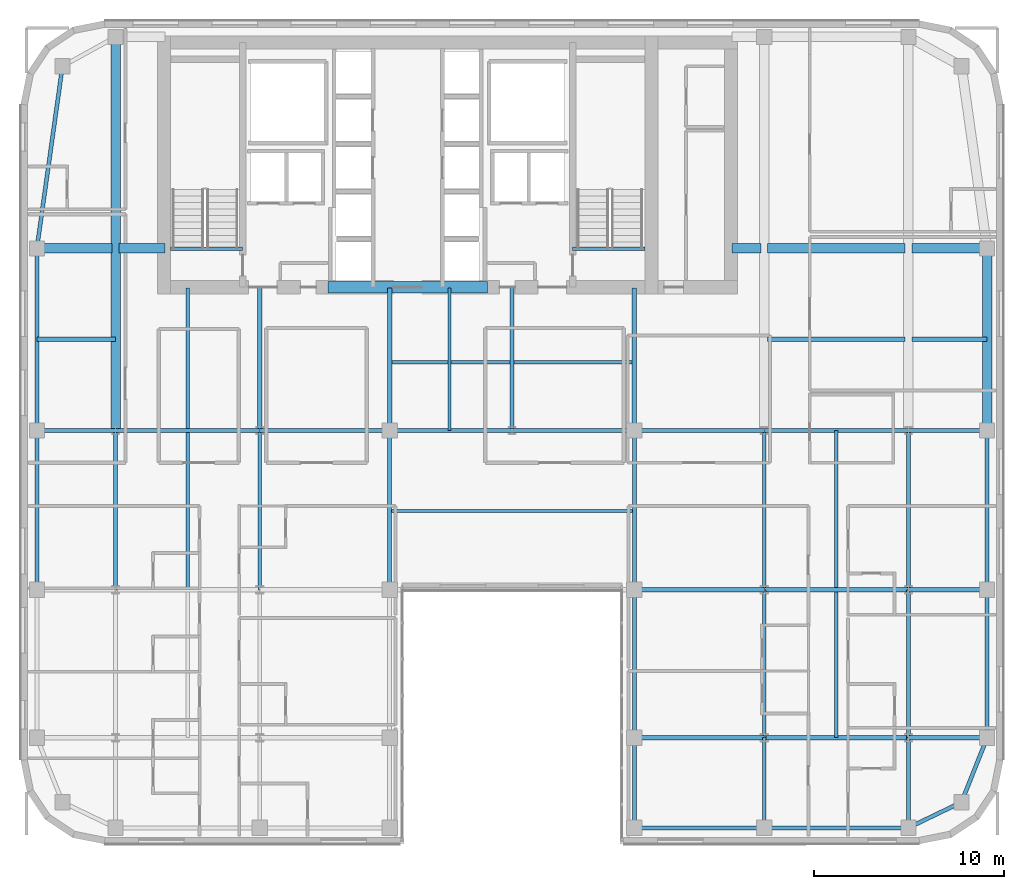
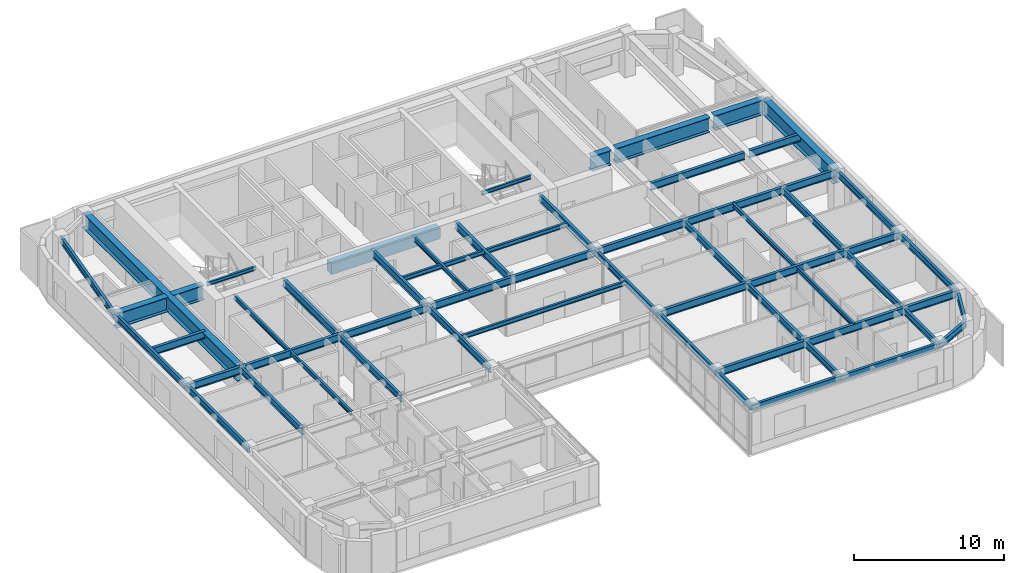
# One storey, part 7 of 20: 59 beams.
"""IFC4 building model written with IfcOpenShell, lengths in metres."""

from ifc_helpers import new_model, si_unit, direction, frame, origin, origin_2d, place, context, subcontext, project, spatial, rectangle, i_section, extrude, source, transform, mapped, material, material_profile, profile_set, type_object, type_shapes, element, save


model = new_model("IFC4")

# Units and contexts
model_context = context("Model", 3, precision=1e-05, world=origin(), true_north=direction((0.0, 1.0)))
body_context = subcontext(model_context, "Body", "Model", "MODEL_VIEW")
ifc_project = project(units=[si_unit("LENGTHUNIT", "METRE"), si_unit("AREAUNIT", "SQUARE_METRE"), si_unit("VOLUMEUNIT", "CUBIC_METRE"), si_unit("PLANEANGLEUNIT", "RADIAN"), si_unit("MASSUNIT", "GRAM", prefix="KILO")], contexts=[model_context])

# Site, building, storey
site_placement = place(None, origin())
site = spatial("IfcSite", under=ifc_project, at=site_placement, CompositionType="ELEMENT")
building_placement = place(site_placement, origin())
building = spatial("IfcBuilding", under=site, at=building_placement, Name="Tolvann Quenvar Hotel", CompositionType="ELEMENT")
storey_placement = place(building_placement, frame((0.0, 0.0, 191.10009765625)))
storey = spatial("IfcBuildingStorey", under=building, at=storey_placement, Name="L50", CompositionType="ELEMENT", Elevation=191.10009765625)

# Beams
ifc_material_1 = material(Name="Concrete N50 (50 MPa)", Category="concrete")
ifc_material_profile_1 = material_profile(ifc_material_1, rectangle(XDim=0.60009765625, YDim=0.89990234375, at=origin_2d()), Name="RC600x900")
ifc_profile_set_1 = profile_set([ifc_material_profile_1], Name="Concrete N50 (50 MPa)")
beam_type_1 = type_object("IfcBeamType", Name="BM_LINT_RC600x900", PredefinedType="LINTEL", material=ifc_profile_set_1)
shared_shape_1 = source(origin(), body_context, "Body", "SweptSolid", [
    extrude(rectangle(XDim=0.60009765625, YDim=0.89990234375, at=origin_2d()), origin(), (0.0, 0.0, 1.0), 8.39990234375),
])
type_shapes(beam_type_1, [shared_shape_1])
beam_1_placement = place(storey_placement, frame((18.800048828125, 31.949951171875, 2.919921875), z_axis=(1.0, 0.0, 0.0), x_axis=(0.0, 1.0, 0.0)))
element("IfcBeam", 1, at=beam_1_placement, inside=storey, type_object=beam_type_1, Name="Core Coupling Lintel Beam (L50)", PredefinedType="LINTEL", context=body_context, shape_type="MappedRepresentation", body=[
    mapped(shared_shape_1, transform((0.0, 0.0, 0.0), x_axis=(1.0, 0.0, 0.0), y_axis=(0.0, 1.0, 0.0), z_axis=(0.0, 0.0, 1.0), scale=1.0)),
])
ifc_material_2 = material(Name="Steel Grade 350", Category="steel")
ifc_material_profile_2 = material_profile(ifc_material_2, i_section(OverallWidth=0.5, OverallDepth=1.199951171875, WebThickness=0.01611328125, FlangeThickness=0.0400390625, at=origin_2d()), Name="1200WB455")
ifc_profile_set_2 = profile_set([ifc_material_profile_2], Name="Steel Grade 350")
beam_type_2 = type_object("IfcBeamType", Name="BM_TG_1200WB455", PredefinedType="USERDEFINED", material=ifc_profile_set_2)
shared_shape_2 = source(origin(), body_context, "Body", "SweptSolid", [
    extrude(i_section(OverallWidth=0.5, OverallDepth=1.199951171875, WebThickness=0.01611328125, FlangeThickness=0.0400390625, at=origin_2d()), origin(), (0.0, 0.0, 1.0), 9.60009765625),
])
beam_2_placement = place(storey_placement, frame((53.550048828125, 24.39990234375, 2.77001953125), z_axis=(0.0, 1.0, 0.0), x_axis=(-1.0, 0.0, 0.0)))
element("IfcBeam", 2, at=beam_2_placement, inside=storey, type_object=beam_type_2, Name="BM-L50-FLK-E1", ObjectType="TRANSFER GIRDER", PredefinedType="USERDEFINED", context=body_context, shape_type="MappedRepresentation", body=[
    mapped(shared_shape_2, transform((0.0, 0.0, 0.0), x_axis=(1.0, 0.0, 0.0), y_axis=(0.0, 1.0, 0.0), z_axis=(0.0, 0.0, 1.0), scale=1.0)),
])
ifc_material_profile_3 = material_profile(ifc_material_2, i_section(OverallWidth=0.208984375, OverallDepth=0.528076171875, WebThickness=0.009521484375, FlangeThickness=0.01318359375, FilletRadius=0.013916015625, at=origin_2d()), Name="530UB82")
ifc_profile_set_3 = profile_set([ifc_material_profile_3], Name="Steel Grade 350")
beam_type_3 = type_object("IfcBeamType", Name="BM_SPAND_530UB82", PredefinedType="SPANDREL", material=ifc_profile_set_3)
shared_shape_3 = source(origin(), body_context, "Body", "SweptSolid", [
    extrude(i_section(OverallWidth=0.208984375, OverallDepth=0.528076171875, WebThickness=0.009521484375, FlangeThickness=0.01318359375, FilletRadius=0.013916015625, at=origin_2d()), origin(), (0.0, 0.0, 1.0), 7.599853515625),
])
beam_3_placement = place(storey_placement, frame((41.800048828125, 3.449951171875, 3.10595703125), z_axis=(1.0, 0.0, 0.0), x_axis=(0.0, 1.0, 0.0)))
element("IfcBeam", 3, at=beam_3_placement, inside=storey, type_object=beam_type_3, Name="BM-L50-EW-2-H2-I2", PredefinedType="SPANDREL", context=body_context, shape_type="MappedRepresentation", body=[
    mapped(shared_shape_3, transform((0.0, 0.0, 0.0), x_axis=(1.0, 0.0, 0.0), y_axis=(0.0, 1.0, 0.0), z_axis=(0.0, 0.0, 1.0), scale=1.0)),
])
shared_shape_4 = source(origin(), body_context, "Body", "SweptSolid", [
    extrude(i_section(OverallWidth=0.208984375, OverallDepth=0.528076171875, WebThickness=0.009521484375, FlangeThickness=0.01318359375, FilletRadius=0.013916015625, at=origin_2d()), origin(), (0.0, 0.0, 1.0), 6.85009765625),
])
beam_4_placement = place(storey_placement, frame((34.949951171875, 3.449951171875, 3.10595703125), z_axis=(1.0, 0.0, 0.0), x_axis=(0.0, 1.0, 0.0)))
element("IfcBeam", 4, at=beam_4_placement, inside=storey, type_object=beam_type_3, Name="BM-L50-EW-2-F2-H2", PredefinedType="SPANDREL", context=body_context, shape_type="MappedRepresentation", body=[
    mapped(shared_shape_4, transform((0.0, 0.0, 0.0), x_axis=(1.0, 0.0, 0.0), y_axis=(0.0, 1.0, 0.0), z_axis=(0.0, 0.0, 1.0), scale=1.0)),
])
shared_shape_5 = source(origin(), body_context, "Body", "SweptSolid", [
    extrude(i_section(OverallWidth=0.208984375, OverallDepth=0.528076171875, WebThickness=0.009521484375, FlangeThickness=0.01318359375, FilletRadius=0.013916015625, at=origin_2d()), origin(), (0.0, 0.0, 1.0), 7.800048828125),
])
beam_5_placement = place(storey_placement, frame((53.550048828125, 8.199951171875, 3.10595703125), z_axis=(0.0, 1.0, 0.0), x_axis=(-1.0, 0.0, 0.0)))
element("IfcBeam", 5, at=beam_5_placement, inside=storey, type_object=beam_type_3, Name="BM-L50-NS-J3-J4", PredefinedType="SPANDREL", context=body_context, shape_type="MappedRepresentation", body=[
    mapped(shared_shape_5, transform((0.0, 0.0, 0.0), x_axis=(1.0, 0.0, 0.0), y_axis=(0.0, 1.0, 0.0), z_axis=(0.0, 0.0, 1.0), scale=1.0)),
])
shared_shape_6 = source(origin(), body_context, "Body", "SweptSolid", [
    extrude(i_section(OverallWidth=0.208984375, OverallDepth=0.528076171875, WebThickness=0.009521484375, FlangeThickness=0.01318359375, FilletRadius=0.013916015625, at=origin_2d()), origin(), (0.0, 0.0, 1.0), 8.39990234375),
])
for number, where, z_axis, x_axis, name in (
    (6, (3.449951171875, 16.0, 3.10595703125), (0.0, 1.0, 0.0), (-1.0, 0.0, 0.0), "BM-L50-NS-B4-B5"),
    (7, (53.550048828125, 16.0, 3.10595703125), (0.0, 1.0, 0.0), (-1.0, 0.0, 0.0), "BM-L50-NS-J4-J5"),
):
    element("IfcBeam", number, at=place(storey_placement, frame(where, z_axis=z_axis, x_axis=x_axis)), inside=storey, type_object=beam_type_3, Name=name, PredefinedType="SPANDREL", context=body_context, shape_type="MappedRepresentation", body=[
        mapped(shared_shape_6, transform((0.0, 0.0, 0.0), x_axis=(1.0, 0.0, 0.0), y_axis=(0.0, 1.0, 0.0), z_axis=(0.0, 0.0, 1.0), scale=1.0)),
    ])
ifc_material_profile_4 = material_profile(ifc_material_2, i_section(OverallWidth=0.208984375, OverallDepth=0.532958984375, WebThickness=0.01025390625, FlangeThickness=0.015625, FilletRadius=0.013916015625, at=origin_2d()), Name="530UB92")
ifc_profile_set_4 = profile_set([ifc_material_profile_4], Name="Steel Grade 350")
beam_type_4 = type_object("IfcBeamType", Name="BM_GIRD_530UB92", PredefinedType="BEAM", material=ifc_profile_set_4)
shared_shape_7 = source(origin(), body_context, "Body", "SweptSolid", [
    extrude(i_section(OverallWidth=0.208984375, OverallDepth=0.532958984375, WebThickness=0.01025390625, FlangeThickness=0.015625, FilletRadius=0.013916015625, at=origin_2d()), origin(), (0.0, 0.0, 1.0), 7.800048828125),
])
for number, where, z_axis, x_axis, name in (
    (8, (34.949951171875, 8.199951171875, 3.103515625), (0.0, 1.0, 0.0), (-1.0, 0.0, 0.0), "BM-L50-NS-F3-F4"),
    (9, (41.800048828125, 8.199951171875, 3.103515625), (0.0, 1.0, 0.0), (-1.0, 0.0, 0.0), "BM-L50-NS-H3-H4"),
    (10, (49.39990234375, 8.199951171875, 3.103515625), (0.0, 1.0, 0.0), (-1.0, 0.0, 0.0), "BM-L50-NS-I3-I4"),
):
    element("IfcBeam", number, at=place(storey_placement, frame(where, z_axis=z_axis, x_axis=x_axis)), inside=storey, type_object=beam_type_4, Name=name, PredefinedType="BEAM", context=body_context, shape_type="MappedRepresentation", body=[
        mapped(shared_shape_7, transform((0.0, 0.0, 0.0), x_axis=(1.0, 0.0, 0.0), y_axis=(0.0, 1.0, 0.0), z_axis=(0.0, 0.0, 1.0), scale=1.0)),
    ])
shared_shape_8 = source(origin(), body_context, "Body", "SweptSolid", [
    extrude(i_section(OverallWidth=0.208984375, OverallDepth=0.532958984375, WebThickness=0.01025390625, FlangeThickness=0.015625, FilletRadius=0.013916015625, at=origin_2d()), origin(), (0.0, 0.0, 1.0), 8.39990234375),
])
for number, where, z_axis, x_axis, name in (
    (11, (7.60009765625, 16.0, 3.103515625), (0.0, 1.0, 0.0), (-1.0, 0.0, 0.0), "BM-L50-NS-C4-C5"),
    (12, (15.199951171875, 16.0, 3.103515625), (0.0, 1.0, 0.0), (-1.0, 0.0, 0.0), "BM-L50-NS-D4-D5"),
    (13, (22.050048828125, 16.0, 3.103515625), (0.0, 1.0, 0.0), (-1.0, 0.0, 0.0), "BM-L50-NS-E4-E5"),
    (14, (34.949951171875, 16.0, 3.103515625), (0.0, 1.0, 0.0), (-1.0, 0.0, 0.0), "BM-L50-NS-F4-F5"),
    (15, (41.800048828125, 16.0, 3.103515625), (0.0, 1.0, 0.0), (-1.0, 0.0, 0.0), "BM-L50-NS-H4-H5"),
    (16, (49.39990234375, 16.0, 3.103515625), (0.0, 1.0, 0.0), (-1.0, 0.0, 0.0), "BM-L50-NS-I4-I5"),
):
    element("IfcBeam", number, at=place(storey_placement, frame(where, z_axis=z_axis, x_axis=x_axis)), inside=storey, type_object=beam_type_4, Name=name, PredefinedType="BEAM", context=body_context, shape_type="MappedRepresentation", body=[
        mapped(shared_shape_8, transform((0.0, 0.0, 0.0), x_axis=(1.0, 0.0, 0.0), y_axis=(0.0, 1.0, 0.0), z_axis=(0.0, 0.0, 1.0), scale=1.0)),
    ])
shared_shape_9 = source(origin(), body_context, "Body", "SweptSolid", [
    extrude(i_section(OverallWidth=0.208984375, OverallDepth=0.528076171875, WebThickness=0.009521484375, FlangeThickness=0.01318359375, FilletRadius=0.013916015625, at=origin_2d()), origin(), (0.0, 0.0, 1.0), 9.60009765625),
])
beam_6_placement = place(storey_placement, frame((3.449951171875, 24.39990234375, 3.10595703125), z_axis=(0.0, 1.0, 0.0), x_axis=(-1.0, 0.0, 0.0)))
element("IfcBeam", 17, at=beam_6_placement, inside=storey, type_object=beam_type_3, Name="BM-L50-FLK-W1", PredefinedType="SPANDREL", context=body_context, shape_type="MappedRepresentation", body=[
    mapped(shared_shape_9, transform((0.0, 0.0, 0.0), x_axis=(1.0, 0.0, 0.0), y_axis=(0.0, 1.0, 0.0), z_axis=(0.0, 0.0, 1.0), scale=1.0)),
])
shared_shape_10 = source(origin(), body_context, "Body", "SweptSolid", [
    extrude(i_section(OverallWidth=0.5, OverallDepth=1.199951171875, WebThickness=0.01611328125, FlangeThickness=0.0400390625, at=origin_2d()), origin(), (0.0, 0.0, 1.0), 20.75),
])
beam_7_placement = place(storey_placement, frame((7.60009765625, 24.39990234375, 2.77001953125), z_axis=(0.0, 1.0, 0.0), x_axis=(-1.0, 0.0, 0.0)))
element("IfcBeam", 18, at=beam_7_placement, inside=storey, type_object=beam_type_2, Name="BM-L50-FLK-WC", ObjectType="TRANSFER GIRDER", PredefinedType="USERDEFINED", context=body_context, shape_type="MappedRepresentation", body=[
    mapped(shared_shape_10, transform((0.0, 0.0, 0.0), x_axis=(1.0, 0.0, 0.0), y_axis=(0.0, 1.0, 0.0), z_axis=(0.0, 0.0, 1.0), scale=1.0)),
])
shared_shape_11 = source(origin(), body_context, "Body", "SweptSolid", [
    extrude(i_section(OverallWidth=0.5, OverallDepth=1.199951171875, WebThickness=0.01611328125, FlangeThickness=0.0400390625, at=origin_2d()), origin(), (0.0, 0.0, 1.0), 2.419921875),
])
beam_8_placement = place(storey_placement, frame((7.780029296875, 34.0, 2.77001953125), z_axis=(1.0, 0.0, 0.0), x_axis=(0.0, 1.0, 0.0)))
element("IfcBeam", 19, at=beam_8_placement, inside=storey, type_object=beam_type_2, Name="BM-L50-CTW-MID2", ObjectType="TRANSFER GIRDER", PredefinedType="USERDEFINED", context=body_context, shape_type="MappedRepresentation", body=[
    mapped(shared_shape_11, transform((0.0, 0.0, 0.0), x_axis=(1.0, 0.0, 0.0), y_axis=(0.0, 1.0, 0.0), z_axis=(0.0, 0.0, 1.0), scale=1.0)),
])
shared_shape_12 = source(origin(), body_context, "Body", "SweptSolid", [
    extrude(i_section(OverallWidth=0.5, OverallDepth=1.199951171875, WebThickness=0.01611328125, FlangeThickness=0.0400390625, at=origin_2d()), origin(), (0.0, 0.0, 1.0), 1.52001953125),
])
beam_9_placement = place(storey_placement, frame((40.10009765625, 34.0, 2.77001953125), z_axis=(1.0, 0.0, 0.0), x_axis=(0.0, 1.0, 0.0)))
element("IfcBeam", 20, at=beam_9_placement, inside=storey, type_object=beam_type_2, Name="BM-L50-CTE-JD6A", ObjectType="TRANSFER GIRDER", PredefinedType="USERDEFINED", context=body_context, shape_type="MappedRepresentation", body=[
    mapped(shared_shape_12, transform((0.0, 0.0, 0.0), x_axis=(1.0, 0.0, 0.0), y_axis=(0.0, 1.0, 0.0), z_axis=(0.0, 0.0, 1.0), scale=1.0)),
])
shared_shape_13 = source(origin(), body_context, "Body", "SweptSolid", [
    extrude(i_section(OverallWidth=0.5, OverallDepth=1.199951171875, WebThickness=0.01611328125, FlangeThickness=0.0400390625, at=origin_2d()), origin(), (0.0, 0.0, 1.0), 7.239990234375),
])
beam_10_placement = place(storey_placement, frame((41.97998046875, 34.0, 2.77001953125), z_axis=(1.0, 0.0, 0.0), x_axis=(0.0, 1.0, 0.0)))
element("IfcBeam", 21, at=beam_10_placement, inside=storey, type_object=beam_type_2, Name="BM-L50-CTE-JD6B", ObjectType="TRANSFER GIRDER", PredefinedType="USERDEFINED", context=body_context, shape_type="MappedRepresentation", body=[
    mapped(shared_shape_13, transform((0.0, 0.0, 0.0), x_axis=(1.0, 0.0, 0.0), y_axis=(0.0, 1.0, 0.0), z_axis=(0.0, 0.0, 1.0), scale=1.0)),
])
ifc_material_profile_5 = material_profile(ifc_material_2, i_section(OverallWidth=0.166015625, OverallDepth=0.306884765625, WebThickness=0.006591796875, FlangeThickness=0.01171875, FilletRadius=0.011474609375, at=origin_2d()), Name="310UB46")
ifc_profile_set_5 = profile_set([ifc_material_profile_5], Name="Steel Grade 350")
beam_type_5 = type_object("IfcBeamType", Name="BM_JOIST_310UB46", PredefinedType="JOIST", material=ifc_profile_set_5)
shared_shape_14 = source(origin(), body_context, "Body", "SweptSolid", [
    extrude(i_section(OverallWidth=0.166015625, OverallDepth=0.306884765625, WebThickness=0.006591796875, FlangeThickness=0.01171875, FilletRadius=0.011474609375, at=origin_2d()), origin(), (0.0, 0.0, 1.0), 3.800048828125),
])
type_shapes(beam_type_5, [shared_shape_14])
for number, where, z_axis, x_axis, name in (
    (22, (10.5, 33.97998046875, 3.21630859375), (1.0, 0.0, 0.0), (0.0, 1.0, 0.0), "BM-HDR-STC1-L51"),
    (23, (31.699951171875, 33.97998046875, 3.21630859375), (1.0, 0.0, 0.0), (0.0, 1.0, 0.0), "BM-HDR-STC2-L51"),
):
    element("IfcBeam", number, at=place(storey_placement, frame(where, z_axis=z_axis, x_axis=x_axis)), inside=storey, type_object=beam_type_5, Name=name, PredefinedType="JOIST", context=body_context, shape_type="MappedRepresentation", body=[
        mapped(shared_shape_14, transform((0.0, 0.0, 0.0), x_axis=(1.0, 0.0, 0.0), y_axis=(0.0, 1.0, 0.0), z_axis=(0.0, 0.0, 1.0), scale=1.0)),
    ])
shared_shape_15 = source(origin(), body_context, "Body", "SweptSolid", [
    extrude(i_section(OverallWidth=0.208984375, OverallDepth=0.528076171875, WebThickness=0.009521484375, FlangeThickness=0.01318359375, FilletRadius=0.013916015625, at=origin_2d()), origin(), (0.0, 0.0, 1.0), 9.694580078125),
])
beam_11_placement = place(storey_placement, frame((3.449951171875, 34.0, 3.10595703125), z_axis=(0.139263320262, 0.990255385055, 0.0), x_axis=(-0.990255385055, 0.139263320262, 0.0)))
element("IfcBeam", 24, at=beam_11_placement, inside=storey, type_object=beam_type_3, Name="BM-L50-FLK-W2", PredefinedType="SPANDREL", context=body_context, shape_type="MappedRepresentation", body=[
    mapped(shared_shape_15, transform((0.0, 0.0, 0.0), x_axis=(1.0, 0.0, 0.0), y_axis=(0.0, 1.0, 0.0), z_axis=(0.0, 0.0, 1.0), scale=1.0)),
])
shared_shape_16 = source(origin(), body_context, "Body", "SweptSolid", [
    extrude(i_section(OverallWidth=0.5, OverallDepth=1.199951171875, WebThickness=0.01611328125, FlangeThickness=0.0400390625, at=origin_2d()), origin(), (0.0, 0.0, 1.0), 3.969970703125),
])
type_shapes(beam_type_2, [shared_shape_2, shared_shape_10, shared_shape_11, shared_shape_12, shared_shape_13, shared_shape_16])
for number, where, z_axis, x_axis, name in (
    (25, (3.449951171875, 34.0, 2.77001953125), (1.0, 0.0, 0.0), (0.0, 1.0, 0.0), "BM-L50-CTW-MID1"),
    (26, (49.580078125, 34.0, 2.77001953125), (1.0, 0.0, 0.0), (0.0, 1.0, 0.0), "BM-L50-CTE-JD6C"),
):
    element("IfcBeam", number, at=place(storey_placement, frame(where, z_axis=z_axis, x_axis=x_axis)), inside=storey, type_object=beam_type_2, Name=name, ObjectType="TRANSFER GIRDER", PredefinedType="USERDEFINED", context=body_context, shape_type="MappedRepresentation", body=[
        mapped(shared_shape_16, transform((0.0, 0.0, 0.0), x_axis=(1.0, 0.0, 0.0), y_axis=(0.0, 1.0, 0.0), z_axis=(0.0, 0.0, 1.0), scale=1.0)),
    ])
ifc_material_profile_6 = material_profile(ifc_material_2, i_section(OverallWidth=0.172119140625, OverallDepth=0.35888671875, WebThickness=0.008056640625, FlangeThickness=0.012939453125, FilletRadius=0.011474609375, at=origin_2d()), Name="360UB57")
ifc_profile_set_6 = profile_set([ifc_material_profile_6], Name="Steel Grade 350")
beam_type_6 = type_object("IfcBeamType", Name="BM_JOIST_360UB57", PredefinedType="JOIST", material=ifc_profile_set_6)
shared_shape_17 = source(origin(), body_context, "Body", "SweptSolid", [
    extrude(i_section(OverallWidth=0.172119140625, OverallDepth=0.35888671875, WebThickness=0.008056640625, FlangeThickness=0.012939453125, FilletRadius=0.011474609375, at=origin_2d()), origin(), (0.0, 0.0, 1.0), 12.89990234375),
])
for number, where, z_axis, x_axis, name in (
    (27, (22.050048828125, 20.14990234375, 3.1904296875), (1.0, 0.0, 0.0), (0.0, 1.0, 0.0), "BM-L50-SPINE-20"),
    (28, (22.050048828125, 28.0, 3.1904296875), (1.0, 0.0, 0.0), (0.0, 1.0, 0.0), "BM-L50-SPINE-28"),
):
    element("IfcBeam", number, at=place(storey_placement, frame(where, z_axis=z_axis, x_axis=x_axis)), inside=storey, type_object=beam_type_6, Name=name, PredefinedType="JOIST", context=body_context, shape_type="MappedRepresentation", body=[
        mapped(shared_shape_17, transform((0.0, 0.0, 0.0), x_axis=(1.0, 0.0, 0.0), y_axis=(0.0, 1.0, 0.0), z_axis=(0.0, 0.0, 1.0), scale=1.0)),
    ])
shared_shape_18 = source(origin(), body_context, "Body", "SweptSolid", [
    extrude(i_section(OverallWidth=0.172119140625, OverallDepth=0.35888671875, WebThickness=0.008056640625, FlangeThickness=0.012939453125, FilletRadius=0.011474609375, at=origin_2d()), origin(), (0.0, 0.0, 1.0), 7.5),
])
beam_12_placement = place(storey_placement, frame((25.199951171875, 24.39990234375, 3.1904296875), z_axis=(0.0, 1.0, 0.0), x_axis=(-1.0, 0.0, 0.0)))
element("IfcBeam", 29, at=beam_12_placement, inside=storey, type_object=beam_type_6, Name="BJ-L50-252-244", PredefinedType="JOIST", context=body_context, shape_type="MappedRepresentation", body=[
    mapped(shared_shape_18, transform((0.0, 0.0, 0.0), x_axis=(1.0, 0.0, 0.0), y_axis=(0.0, 1.0, 0.0), z_axis=(0.0, 0.0, 1.0), scale=1.0)),
])
shared_shape_19 = source(origin(), body_context, "Body", "SweptSolid", [
    extrude(i_section(OverallWidth=0.208984375, OverallDepth=0.528076171875, WebThickness=0.009521484375, FlangeThickness=0.01318359375, FilletRadius=0.013916015625, at=origin_2d()), origin(), (0.0, 0.0, 1.0), 3.108642578125),
])
beam_13_placement = place(storey_placement, frame((49.39990234375, 3.449951171875, 3.10595703125), z_axis=(0.900759354066, 0.434318530646, 0.0), x_axis=(-0.434318530646, 0.900759354066, 0.0)))
element("IfcBeam", 30, at=beam_13_placement, inside=storey, type_object=beam_type_3, Name="BM-L50-EW-2-I2-J2", PredefinedType="SPANDREL", context=body_context, shape_type="MappedRepresentation", body=[
    mapped(shared_shape_19, transform((0.0, 0.0, 0.0), x_axis=(1.0, 0.0, 0.0), y_axis=(0.0, 1.0, 0.0), z_axis=(0.0, 0.0, 1.0), scale=1.0)),
])
ifc_material_profile_7 = material_profile(ifc_material_2, i_section(OverallWidth=0.22802734375, OverallDepth=0.60205078125, WebThickness=0.010498046875, FlangeThickness=0.014892578125, FilletRadius=0.013916015625, at=origin_2d()), Name="610UB101")
ifc_profile_set_7 = profile_set([ifc_material_profile_7], Name="Steel Grade 350")
beam_type_7 = type_object("IfcBeamType", Name="BM_GIRD_610UB101", PredefinedType="BEAM", material=ifc_profile_set_7)
shared_shape_20 = source(origin(), body_context, "Body", "SweptSolid", [
    extrude(i_section(OverallWidth=0.22802734375, OverallDepth=0.60205078125, WebThickness=0.010498046875, FlangeThickness=0.014892578125, FilletRadius=0.013916015625, at=origin_2d()), origin(), (0.0, 0.0, 1.0), 4.150146484375),
])
for number, where, z_axis, x_axis, name in (
    (31, (49.39990234375, 8.199951171875, 3.06884765625), (1.0, 0.0, 0.0), (0.0, 1.0, 0.0), "BM-L50-EW-3-I3-J3"),
    (32, (49.39990234375, 16.0, 3.06884765625), (1.0, 0.0, 0.0), (0.0, 1.0, 0.0), "BM-L50-EW-4-I4-J4"),
    (33, (3.449951171875, 24.39990234375, 3.06884765625), (1.0, 0.0, 0.0), (0.0, 1.0, 0.0), "BM-L50-EW-5-B5-C5"),
    (34, (49.39990234375, 24.39990234375, 3.06884765625), (1.0, 0.0, 0.0), (0.0, 1.0, 0.0), "BM-L50-EW-5-I5-J5"),
    (35, (3.449951171875, 29.199951171875, 3.06884765625), (1.0, 0.0, 0.0), (0.0, 1.0, 0.0), "BM-L50-EW-BC29"),
):
    element("IfcBeam", number, at=place(storey_placement, frame(where, z_axis=z_axis, x_axis=x_axis)), inside=storey, type_object=beam_type_7, Name=name, PredefinedType="BEAM", context=body_context, shape_type="MappedRepresentation", body=[
        mapped(shared_shape_20, transform((0.0, 0.0, 0.0), x_axis=(1.0, 0.0, 0.0), y_axis=(0.0, 1.0, 0.0), z_axis=(0.0, 0.0, 1.0), scale=1.0)),
    ])
shared_shape_21 = source(origin(), body_context, "Body", "SweptSolid", [
    extrude(i_section(OverallWidth=0.22802734375, OverallDepth=0.60205078125, WebThickness=0.010498046875, FlangeThickness=0.014892578125, FilletRadius=0.013916015625, at=origin_2d()), origin(), (0.0, 0.0, 1.0), 7.599853515625),
])
for number, where, z_axis, x_axis, name in (
    (36, (41.800048828125, 8.199951171875, 3.06884765625), (1.0, 0.0, 0.0), (0.0, 1.0, 0.0), "BM-L50-EW-3-H3-I3"),
    (37, (41.800048828125, 16.0, 3.06884765625), (1.0, 0.0, 0.0), (0.0, 1.0, 0.0), "BM-L50-EW-4-H4-I4"),
    (38, (7.60009765625, 24.39990234375, 3.06884765625), (1.0, 0.0, 0.0), (0.0, 1.0, 0.0), "BM-L50-EW-5-C5-D5"),
    (39, (41.800048828125, 24.39990234375, 3.06884765625), (1.0, 0.0, 0.0), (0.0, 1.0, 0.0), "BM-L50-EW-5-H5-I5"),
):
    element("IfcBeam", number, at=place(storey_placement, frame(where, z_axis=z_axis, x_axis=x_axis)), inside=storey, type_object=beam_type_7, Name=name, PredefinedType="BEAM", context=body_context, shape_type="MappedRepresentation", body=[
        mapped(shared_shape_21, transform((0.0, 0.0, 0.0), x_axis=(1.0, 0.0, 0.0), y_axis=(0.0, 1.0, 0.0), z_axis=(0.0, 0.0, 1.0), scale=1.0)),
    ])
shared_shape_22 = source(origin(), body_context, "Body", "SweptSolid", [
    extrude(i_section(OverallWidth=0.22802734375, OverallDepth=0.60205078125, WebThickness=0.010498046875, FlangeThickness=0.014892578125, FilletRadius=0.013916015625, at=origin_2d()), origin(), (0.0, 0.0, 1.0), 6.85009765625),
])
for number, where, z_axis, x_axis, name in (
    (40, (34.949951171875, 8.199951171875, 3.06884765625), (1.0, 0.0, 0.0), (0.0, 1.0, 0.0), "BM-L50-EW-3-F3-H3"),
    (41, (34.949951171875, 16.0, 3.06884765625), (1.0, 0.0, 0.0), (0.0, 1.0, 0.0), "BM-L50-EW-4-F4-H4"),
    (42, (15.199951171875, 24.39990234375, 3.06884765625), (1.0, 0.0, 0.0), (0.0, 1.0, 0.0), "BM-L50-EW-5-D5-E5"),
    (43, (34.949951171875, 24.39990234375, 3.06884765625), (1.0, 0.0, 0.0), (0.0, 1.0, 0.0), "BM-L50-EW-5-F5-H5"),
):
    element("IfcBeam", number, at=place(storey_placement, frame(where, z_axis=z_axis, x_axis=x_axis)), inside=storey, type_object=beam_type_7, Name=name, PredefinedType="BEAM", context=body_context, shape_type="MappedRepresentation", body=[
        mapped(shared_shape_22, transform((0.0, 0.0, 0.0), x_axis=(1.0, 0.0, 0.0), y_axis=(0.0, 1.0, 0.0), z_axis=(0.0, 0.0, 1.0), scale=1.0)),
    ])
shared_shape_23 = source(origin(), body_context, "Body", "SweptSolid", [
    extrude(i_section(OverallWidth=0.22802734375, OverallDepth=0.60205078125, WebThickness=0.010498046875, FlangeThickness=0.014892578125, FilletRadius=0.013916015625, at=origin_2d()), origin(), (0.0, 0.0, 1.0), 6.449951171875),
])
for number, where, z_axis, x_axis, name in (
    (44, (22.050048828125, 24.39990234375, 3.06884765625), (1.0, 0.0, 0.0), (0.0, 1.0, 0.0), "BM-L50-EW-5-E5-M5"),
    (45, (28.5, 24.39990234375, 3.06884765625), (1.0, 0.0, 0.0), (0.0, 1.0, 0.0), "BM-L50-EW-5-M5-F5"),
):
    element("IfcBeam", number, at=place(storey_placement, frame(where, z_axis=z_axis, x_axis=x_axis)), inside=storey, type_object=beam_type_7, Name=name, PredefinedType="BEAM", context=body_context, shape_type="MappedRepresentation", body=[
        mapped(shared_shape_23, transform((0.0, 0.0, 0.0), x_axis=(1.0, 0.0, 0.0), y_axis=(0.0, 1.0, 0.0), z_axis=(0.0, 0.0, 1.0), scale=1.0)),
    ])
shared_shape_24 = source(origin(), body_context, "Body", "SweptSolid", [
    extrude(i_section(OverallWidth=0.208984375, OverallDepth=0.528076171875, WebThickness=0.009521484375, FlangeThickness=0.01318359375, FilletRadius=0.013916015625, at=origin_2d()), origin(), (0.0, 0.0, 1.0), 3.658203125),
])
type_shapes(beam_type_3, [shared_shape_3, shared_shape_4, shared_shape_5, shared_shape_6, shared_shape_9, shared_shape_15, shared_shape_19, shared_shape_24])
beam_14_placement = place(storey_placement, frame((52.199951171875, 4.800048828125, 3.10595703125), z_axis=(0.369065163807, 0.929403521009, 0.0), x_axis=(-0.929403521009, 0.369065163807, 0.0)))
element("IfcBeam", 46, at=beam_14_placement, inside=storey, type_object=beam_type_3, Name="BM-L50-NS-J2-J3", PredefinedType="SPANDREL", context=body_context, shape_type="MappedRepresentation", body=[
    mapped(shared_shape_24, transform((0.0, 0.0, 0.0), x_axis=(1.0, 0.0, 0.0), y_axis=(0.0, 1.0, 0.0), z_axis=(0.0, 0.0, 1.0), scale=1.0)),
])
shared_shape_25 = source(origin(), body_context, "Body", "SweptSolid", [
    extrude(i_section(OverallWidth=0.208984375, OverallDepth=0.532958984375, WebThickness=0.01025390625, FlangeThickness=0.015625, FilletRadius=0.013916015625, at=origin_2d()), origin(), (0.0, 0.0, 1.0), 4.75),
])
type_shapes(beam_type_4, [shared_shape_7, shared_shape_8, shared_shape_25])
for number, where, z_axis, x_axis, name in (
    (47, (34.949951171875, 3.449951171875, 3.103515625), (0.0, 1.0, 0.0), (-1.0, 0.0, 0.0), "BM-L50-NS-F2-F3"),
    (48, (41.800048828125, 3.449951171875, 3.103515625), (0.0, 1.0, 0.0), (-1.0, 0.0, 0.0), "BM-L50-NS-H2-H3"),
    (49, (49.39990234375, 3.449951171875, 3.103515625), (0.0, 1.0, 0.0), (-1.0, 0.0, 0.0), "BM-L50-NS-I2-I3"),
):
    element("IfcBeam", number, at=place(storey_placement, frame(where, z_axis=z_axis, x_axis=x_axis)), inside=storey, type_object=beam_type_4, Name=name, PredefinedType="BEAM", context=body_context, shape_type="MappedRepresentation", body=[
        mapped(shared_shape_25, transform((0.0, 0.0, 0.0), x_axis=(1.0, 0.0, 0.0), y_axis=(0.0, 1.0, 0.0), z_axis=(0.0, 0.0, 1.0), scale=1.0)),
    ])
shared_shape_26 = source(origin(), body_context, "Body", "SweptSolid", [
    extrude(i_section(OverallWidth=0.22802734375, OverallDepth=0.60205078125, WebThickness=0.010498046875, FlangeThickness=0.014892578125, FilletRadius=0.013916015625, at=origin_2d()), origin(), (0.0, 0.0, 1.0), 7.5),
])
for number, where, z_axis, x_axis, name in (
    (50, (15.199951171875, 24.39990234375, 3.06884765625), (0.0, 1.0, 0.0), (-1.0, 0.0, 0.0), "BM-L50-CORE-D5"),
    (51, (22.050048828125, 24.39990234375, 3.06884765625), (0.0, 1.0, 0.0), (-1.0, 0.0, 0.0), "BM-L50-CORE-E5"),
    (52, (34.949951171875, 24.39990234375, 3.06884765625), (0.0, 1.0, 0.0), (-1.0, 0.0, 0.0), "BM-L50-CORE-F5"),
    (53, (28.5, 24.39990234375, 3.06884765625), (0.0, 1.0, 0.0), (-1.0, 0.0, 0.0), "BM-L50-CORE-M5"),
):
    element("IfcBeam", number, at=place(storey_placement, frame(where, z_axis=z_axis, x_axis=x_axis)), inside=storey, type_object=beam_type_7, Name=name, PredefinedType="BEAM", context=body_context, shape_type="MappedRepresentation", body=[
        mapped(shared_shape_26, transform((0.0, 0.0, 0.0), x_axis=(1.0, 0.0, 0.0), y_axis=(0.0, 1.0, 0.0), z_axis=(0.0, 0.0, 1.0), scale=1.0)),
    ])
shared_shape_27 = source(origin(), body_context, "Body", "SweptSolid", [
    extrude(i_section(OverallWidth=0.22802734375, OverallDepth=0.60205078125, WebThickness=0.010498046875, FlangeThickness=0.014892578125, FilletRadius=0.013916015625, at=origin_2d()), origin(), (0.0, 0.0, 1.0), 7.239990234375),
])
beam_15_placement = place(storey_placement, frame((41.97998046875, 29.199951171875, 3.06884765625), z_axis=(1.0, 0.0, 0.0), x_axis=(0.0, 1.0, 0.0)))
element("IfcBeam", 54, at=beam_15_placement, inside=storey, type_object=beam_type_7, Name="BM-L50-EW-HI29", PredefinedType="BEAM", context=body_context, shape_type="MappedRepresentation", body=[
    mapped(shared_shape_27, transform((0.0, 0.0, 0.0), x_axis=(1.0, 0.0, 0.0), y_axis=(0.0, 1.0, 0.0), z_axis=(0.0, 0.0, 1.0), scale=1.0)),
])
shared_shape_28 = source(origin(), body_context, "Body", "SweptSolid", [
    extrude(i_section(OverallWidth=0.22802734375, OverallDepth=0.60205078125, WebThickness=0.010498046875, FlangeThickness=0.014892578125, FilletRadius=0.013916015625, at=origin_2d()), origin(), (0.0, 0.0, 1.0), 3.969970703125),
])
type_shapes(beam_type_7, [shared_shape_20, shared_shape_21, shared_shape_22, shared_shape_23, shared_shape_26, shared_shape_27, shared_shape_28])
beam_16_placement = place(storey_placement, frame((49.580078125, 29.199951171875, 3.06884765625), z_axis=(1.0, 0.0, 0.0), x_axis=(0.0, 1.0, 0.0)))
element("IfcBeam", 55, at=beam_16_placement, inside=storey, type_object=beam_type_7, Name="BM-L50-EW-IJ29", PredefinedType="BEAM", context=body_context, shape_type="MappedRepresentation", body=[
    mapped(shared_shape_28, transform((0.0, 0.0, 0.0), x_axis=(1.0, 0.0, 0.0), y_axis=(0.0, 1.0, 0.0), z_axis=(0.0, 0.0, 1.0), scale=1.0)),
])
shared_shape_29 = source(origin(), body_context, "Body", "SweptSolid", [
    extrude(i_section(OverallWidth=0.172119140625, OverallDepth=0.35888671875, WebThickness=0.008056640625, FlangeThickness=0.012939453125, FilletRadius=0.011474609375, at=origin_2d()), origin(), (0.0, 0.0, 1.0), 7.692138671875),
])
beam_17_placement = place(storey_placement, frame((45.60009765625, 8.199951171875, 3.1904296875), z_axis=(0.0, 1.0, 0.0), x_axis=(-1.0, 0.0, 0.0)))
element("IfcBeam", 56, at=beam_17_placement, inside=storey, type_object=beam_type_6, Name="BJ-L50-456-82", PredefinedType="JOIST", context=body_context, shape_type="MappedRepresentation", body=[
    mapped(shared_shape_29, transform((0.0, 0.0, 0.0), x_axis=(1.0, 0.0, 0.0), y_axis=(0.0, 1.0, 0.0), z_axis=(0.0, 0.0, 1.0), scale=1.0)),
])
shared_shape_30 = source(origin(), body_context, "Body", "SweptSolid", [
    extrude(i_section(OverallWidth=0.172119140625, OverallDepth=0.35888671875, WebThickness=0.008056640625, FlangeThickness=0.012939453125, FilletRadius=0.011474609375, at=origin_2d()), origin(), (0.0, 0.0, 1.0), 8.18408203125),
])
beam_18_placement = place(storey_placement, frame((11.39990234375, 16.10791015625, 3.1904296875), z_axis=(0.0, 1.0, 0.0), x_axis=(-1.0, 0.0, 0.0)))
element("IfcBeam", 57, at=beam_18_placement, inside=storey, type_object=beam_type_6, Name="BJ-L50-114-160", PredefinedType="JOIST", context=body_context, shape_type="MappedRepresentation", body=[
    mapped(shared_shape_30, transform((0.0, 0.0, 0.0), x_axis=(1.0, 0.0, 0.0), y_axis=(0.0, 1.0, 0.0), z_axis=(0.0, 0.0, 1.0), scale=1.0)),
])
shared_shape_31 = source(origin(), body_context, "Body", "SweptSolid", [
    extrude(i_section(OverallWidth=0.172119140625, OverallDepth=0.35888671875, WebThickness=0.008056640625, FlangeThickness=0.012939453125, FilletRadius=0.011474609375, at=origin_2d()), origin(), (0.0, 0.0, 1.0), 7.391845703125),
])
beam_19_placement = place(storey_placement, frame((11.39990234375, 24.508056640625, 3.1904296875), z_axis=(0.0, 1.0, 0.0), x_axis=(-1.0, 0.0, 0.0)))
element("IfcBeam", 58, at=beam_19_placement, inside=storey, type_object=beam_type_6, Name="BJ-L50-114-244", PredefinedType="JOIST", context=body_context, shape_type="MappedRepresentation", body=[
    mapped(shared_shape_31, transform((0.0, 0.0, 0.0), x_axis=(1.0, 0.0, 0.0), y_axis=(0.0, 1.0, 0.0), z_axis=(0.0, 0.0, 1.0), scale=1.0)),
])
shared_shape_32 = source(origin(), body_context, "Body", "SweptSolid", [
    extrude(i_section(OverallWidth=0.172119140625, OverallDepth=0.35888671875, WebThickness=0.008056640625, FlangeThickness=0.012939453125, FilletRadius=0.011474609375, at=origin_2d()), origin(), (0.0, 0.0, 1.0), 8.2919921875),
])
type_shapes(beam_type_6, [shared_shape_17, shared_shape_18, shared_shape_29, shared_shape_30, shared_shape_31, shared_shape_32])
beam_20_placement = place(storey_placement, frame((45.60009765625, 16.10791015625, 3.1904296875), z_axis=(0.0, 1.0, 0.0), x_axis=(-1.0, 0.0, 0.0)))
element("IfcBeam", 59, at=beam_20_placement, inside=storey, type_object=beam_type_6, Name="BJ-L50-456-160", PredefinedType="JOIST", context=body_context, shape_type="MappedRepresentation", body=[
    mapped(shared_shape_32, transform((0.0, 0.0, 0.0), x_axis=(1.0, 0.0, 0.0), y_axis=(0.0, 1.0, 0.0), z_axis=(0.0, 0.0, 1.0), scale=1.0)),
])

save(model, "model.ifc")
